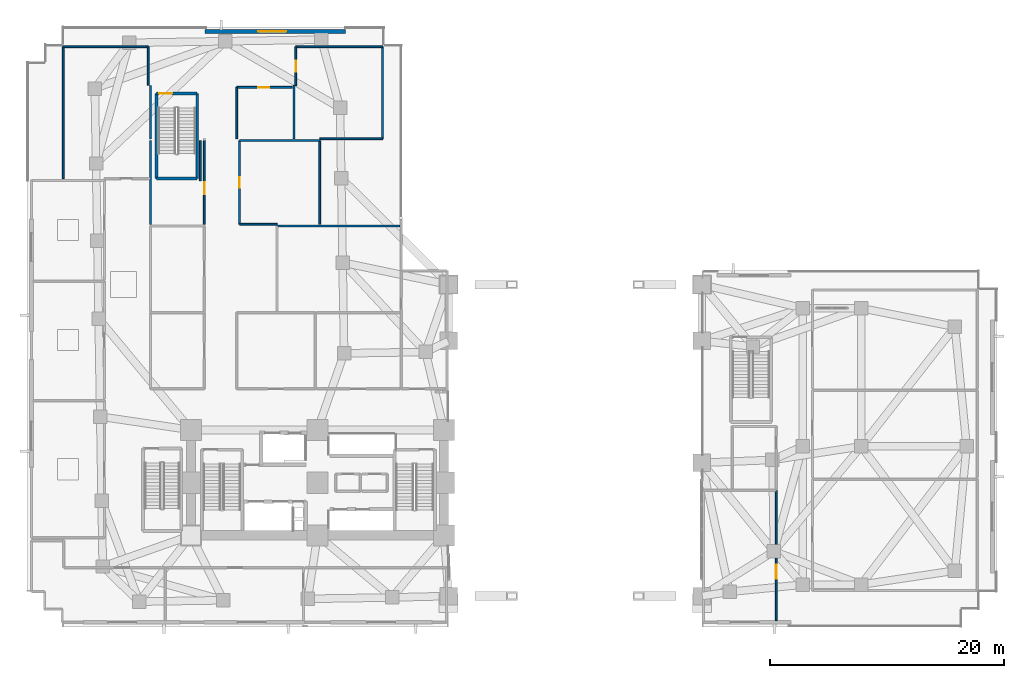
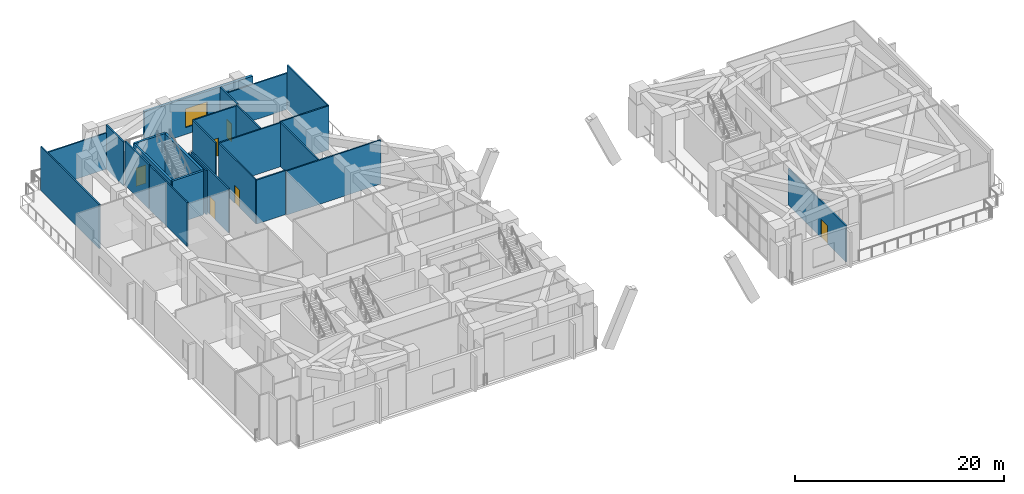
# One storey, part 10 of 18: 25 walls, 6 doors, 1 window, 7 openings.
"""IFC4 building model written with IfcOpenShell, lengths in metres."""

from ifc_helpers import new_model, si_unit, direction, frame, frame_2d, origin, place, context, subcontext, project, spatial, rectangle, extrude, material, layer, layer_set, type_object, element, fill, save


model = new_model("IFC4")

# Units and contexts
model_context = context("Model", 3, precision=1e-05, world=origin(), true_north=direction((0.0, 1.0)))
body_context = subcontext(model_context, "Body", "Model", "MODEL_VIEW")
ifc_project = project(units=[si_unit("LENGTHUNIT", "METRE"), si_unit("AREAUNIT", "SQUARE_METRE"), si_unit("VOLUMEUNIT", "CUBIC_METRE"), si_unit("PLANEANGLEUNIT", "RADIAN"), si_unit("MASSUNIT", "GRAM", prefix="KILO")], contexts=[model_context])

# Site, building, storey
site_placement = place(None, origin())
site = spatial("IfcSite", under=ifc_project, at=site_placement, CompositionType="ELEMENT")
building_placement = place(site_placement, origin())
building = spatial("IfcBuilding", under=site, at=building_placement, Name="Gaonmaruhae Medical Tower", CompositionType="ELEMENT")
storey_placement = place(building_placement, frame((0.0, 0.0, 16.199951171875)))
storey = spatial("IfcBuildingStorey", under=building, at=storey_placement, Name="L03", CompositionType="ELEMENT", Elevation=16.199951171875)

# Wall, opening, window
ifc_material_1 = material(Name="Precast concrete C45/55", Category="concrete")
ifc_layer_1 = layer(ifc_material_1, 0.320068359375)
ifc_layer_set_1 = layer_set([ifc_layer_1], Name="Precast concrete C45/55")
wall_type_1 = type_object("IfcWallType", Name="EW-320 Lower Precast Masonry-Frame Facade Wall", PredefinedType="SOLIDWALL", material=ifc_layer_set_1)
wall_1_placement = place(storey_placement, frame((15.199951171875, 50.800048828125, 0.0), z_axis=(0.0, 0.0, 1.0), x_axis=(1.0, 0.0, 0.0)))
wall_1 = element("IfcWall", 1, at=wall_1_placement, inside=storey, type_object=wall_type_1, Name="L03 Precast Facade Wall PB-N2", PredefinedType="SOLIDWALL", context=body_context, shape_type="SweptSolid", body=[
    extrude(rectangle(XDim=12.0, YDim=0.320068359375, at=frame_2d((6.0, 0.0))), origin(), (0.0, 0.0, 1.0), 4.22998046875),
])
opening_1_placement = place(wall_1_placement, frame((4.544921875, 0.0, 0.800048828125)))
opening_1 = element("IfcOpeningElement", 2, at=opening_1_placement, cuts=wall_1, Name="Opening WN-06", PredefinedType="OPENING", context=body_context, shape_type="SweptSolid", body=[
    extrude(rectangle(XDim=2.39990234375, YDim=2.199951171875, at=frame_2d((1.199951171875, 1.10009765625))), frame((0.0, 0.169921875, 0.0), z_axis=(0.0, -1.0, 0.0), x_axis=(1.0, 0.0, 0.0)), (0.0, 0.0, 1.0), 0.340087890625),
])
ifc_material_2 = material(Name="Anodised aluminium and Low-E double glazing", Category="aluminium")
window_type = type_object("IfcWindowType", Name="WN-06 Podium Diagnostic Punched Window 2400x2200", PartitioningType="SINGLE_PANEL", PredefinedType="WINDOW", material=ifc_material_2)
window_placement = place(opening_1_placement, origin())
window = element("IfcWindow", 3, at=window_placement, inside=storey, type_object=window_type, Name="L03 Podium Punched Window PB-N2", OverallHeight=2.199951171875, OverallWidth=2.39990234375, PartitioningType="SINGLE_PANEL", PredefinedType="WINDOW", context=body_context, shape_type="SweptSolid", body=[
    extrude(rectangle(XDim=2.39990234375, YDim=2.199951171875, at=frame_2d((1.199951171875, 1.10009765625))), frame((0.0, 0.030029296875, 0.0), z_axis=(0.0, -1.0, 0.0), x_axis=(1.0, 0.0, 0.0)), (0.0, 0.0, 1.0), 0.06005859375),
])
fill(opening_1, window)

# Wall, opening, door
ifc_material_3 = material(Name="Gypsum board partition", Category="gypsum")
ifc_layer_2 = layer(ifc_material_3, 0.14990234375)
ifc_layer_set_2 = layer_set([ifc_layer_2], Name="Gypsum board partition")
wall_type_2 = type_object("IfcWallType", Name="PW-150 Rated Clinical Corridor Partition", PredefinedType="PARTITIONING", material=ifc_layer_set_2)
wall_2_placement = place(storey_placement, frame((63.949951171875, 11.64990234375, 0.0), z_axis=(0.0, 0.0, 1.0), x_axis=(0.0, -1.0, 0.0)))
wall_2 = element("IfcWall", 4, at=wall_2_placement, inside=storey, type_object=wall_type_2, Name="L03 Interior Partition L03-EA4-34", PredefinedType="PARTITIONING", context=body_context, shape_type="SweptSolid", body=[
    extrude(rectangle(XDim=11.114990234375, YDim=0.14990234375, at=frame_2d((5.5576171875, 0.0))), origin(), (0.0, 0.0, 1.0), 4.235107421875),
])
opening_2_placement = place(wall_2_placement, frame((6.36083984375, 0.0, 0.0)))
opening_2 = element("IfcOpeningElement", 5, at=opening_2_placement, cuts=wall_2, Name="Opening CD-02", PredefinedType="OPENING", context=body_context, shape_type="SweptSolid", body=[
    extrude(rectangle(XDim=1.199951171875, YDim=2.14990234375, at=frame_2d((0.60009765625, 1.074951171875))), frame((0.0, 0.0849609375, 0.0), z_axis=(0.0, -1.0, 0.0), x_axis=(1.0, 0.0, 0.0)), (0.0, 0.0, 1.0), 0.169921875),
])
ifc_material_4 = material(Name="Antimicrobial laminate timber fire door", Category="wood")
door_type_1 = type_object("IfcDoorType", Name="CD-02 Clinical Treatment & Procedure Door 1200x2150", OperationType="NOTDEFINED", PredefinedType="DOOR", material=ifc_material_4)
door_1_placement = place(opening_2_placement, origin())
door_1 = element("IfcDoor", 6, at=door_1_placement, inside=storey, type_object=door_type_1, Name="L03 L03 Diagnostic Specimen Processing Suite Door", OperationType="SINGLE_SWING_RIGHT", OverallHeight=2.14990234375, OverallWidth=1.199951171875, PredefinedType="DOOR", context=body_context, shape_type="SweptSolid", body=[
    extrude(rectangle(XDim=1.199951171875, YDim=2.14990234375, at=frame_2d((0.60009765625, 1.074951171875))), frame((0.0, 0.02490234375, 0.0), z_axis=(0.0, -1.0, 0.0), x_axis=(1.0, 0.0, 0.0)), (0.0, 0.0, 1.0), 0.050048828125),
])
fill(opening_2, door_1)

# Walls
wall_3_placement = place(storey_placement, frame((21.35009765625, 34.199951171875, 0.0), z_axis=(0.0, 0.0, 1.0), x_axis=(1.0, 0.0, 0.0)))
element("IfcWall", 7, at=wall_3_placement, inside=storey, type_object=wall_type_2, Name="L03 Interior Partition L03-S8-70", PredefinedType="PARTITIONING", context=body_context, shape_type="SweptSolid", body=[
    extrude(rectangle(XDim=10.449951171875, YDim=0.14990234375, at=frame_2d((5.22509765625, 0.0))), origin(), (0.0, 0.0, 1.0), 5.150146484375),
])
wall_4_placement = place(storey_placement, frame((10.550048828125, 34.35009765625, 0.0), z_axis=(0.0, 0.0, 1.0), x_axis=(0.0, 1.0, 0.0)))
element("IfcWall", 8, at=wall_4_placement, inside=storey, type_object=wall_type_2, Name="L03 Interior Partition L03-S9-72", PredefinedType="PARTITIONING", context=body_context, shape_type="SweptSolid", body=[
    extrude(rectangle(XDim=7.14990234375, YDim=0.14990234375, at=frame_2d((3.574951171875, 0.0))), origin(), (0.0, 0.0, 1.0), 5.150146484375),
])
wall_5_placement = place(storey_placement, frame((14.800048828125, 38.050048828125, 0.0), z_axis=(0.0, 0.0, 1.0), x_axis=(0.0, 1.0, 0.0)))
element("IfcWall", 9, at=wall_5_placement, inside=storey, type_object=wall_type_2, Name="L03 Interior Partition L03-S9-73", PredefinedType="PARTITIONING", context=body_context, shape_type="SweptSolid", body=[
    extrude(rectangle(XDim=3.449951171875, YDim=0.14990234375, at=frame_2d((1.72509765625, 0.0))), origin(), (0.0, 0.0, 1.0), 5.150146484375),
])

# Wall, opening, door
wall_6_placement = place(storey_placement, frame((15.139892578125, 41.5, 0.0), z_axis=(0.0, 0.0, 1.0), x_axis=(0.0, -1.0, 0.0)))
wall_6 = element("IfcWall", 10, at=wall_6_placement, inside=storey, type_object=wall_type_2, Name="L03 Interior Partition L03-S9-74", PredefinedType="PARTITIONING", context=body_context, shape_type="SweptSolid", body=[
    extrude(rectangle(XDim=7.14990234375, YDim=0.14990234375, at=frame_2d((3.574951171875, 0.0))), origin(), (0.0, 0.0, 1.0), 5.150146484375),
])
opening_3_placement = place(wall_6_placement, frame((3.578125, 0.0, 0.0)))
opening_3 = element("IfcOpeningElement", 11, at=opening_3_placement, cuts=wall_6, Name="Opening CD-01", PredefinedType="OPENING", context=body_context, shape_type="SweptSolid", body=[
    extrude(rectangle(XDim=1.0, YDim=2.1201171875, at=frame_2d((0.5, 1.06005859375))), frame((0.0, 0.0849609375, 0.0), z_axis=(0.0, -1.0, 0.0), x_axis=(1.0, 0.0, 0.0)), (0.0, 0.0, 1.0), 0.169921875),
])
door_type_2 = type_object("IfcDoorType", Name="CD-01 Consultation & Physician Office Door 1000x2120", OperationType="NOTDEFINED", PredefinedType="DOOR", material=ifc_material_4)
door_2_placement = place(opening_3_placement, origin())
door_2 = element("IfcDoor", 12, at=door_2_placement, inside=storey, type_object=door_type_2, Name="L03 Anaesthesia Consultation Office Door", OperationType="SINGLE_SWING_RIGHT", OverallHeight=2.1201171875, OverallWidth=1.0, PredefinedType="DOOR", context=body_context, shape_type="SweptSolid", body=[
    extrude(rectangle(XDim=1.0, YDim=2.1201171875, at=frame_2d((0.5, 1.06005859375))), frame((0.0, 0.02490234375, 0.0), z_axis=(0.0, -1.0, 0.0), x_axis=(1.0, 0.0, 0.0)), (0.0, 0.0, 1.0), 0.050048828125),
])
fill(opening_3, door_2)

# Walls
wall_7_placement = place(storey_placement, frame((18.14990234375, 41.5, 0.0), z_axis=(0.0, 0.0, 1.0), x_axis=(1.0, 0.0, 0.0)))
element("IfcWall", 13, at=wall_7_placement, inside=storey, type_object=wall_type_2, Name="L03 Interior Partition L03-S10-75", PredefinedType="PARTITIONING", context=body_context, shape_type="SweptSolid", body=[
    extrude(rectangle(XDim=6.85009765625, YDim=0.14990234375, at=frame_2d((3.425048828125, 0.0))), origin(), (0.0, 0.0, 1.0), 5.150146484375),
])
wall_8_placement = place(storey_placement, frame((25.0, 41.5, 0.0), z_axis=(0.0, 0.0, 1.0), x_axis=(0.0, -1.0, 0.0)))
element("IfcWall", 14, at=wall_8_placement, inside=storey, type_object=wall_type_2, Name="L03 Interior Partition L03-S10-76", PredefinedType="PARTITIONING", context=body_context, shape_type="SweptSolid", body=[
    extrude(rectangle(XDim=7.14990234375, YDim=0.14990234375, at=frame_2d((3.574951171875, 0.0))), origin(), (0.0, 0.0, 1.0), 5.150146484375),
])
wall_9_placement = place(storey_placement, frame((21.35009765625, 34.35009765625, 0.0), z_axis=(0.0, 0.0, 1.0), x_axis=(-1.0, 0.0, 0.0)))
element("IfcWall", 15, at=wall_9_placement, inside=storey, type_object=wall_type_2, Name="L03 Interior Partition L03-S10-77", PredefinedType="PARTITIONING", context=body_context, shape_type="SweptSolid", body=[
    extrude(rectangle(XDim=3.2001953125, YDim=0.14990234375, at=frame_2d((1.60009765625, 0.0))), origin(), (0.0, 0.0, 1.0), 5.150146484375),
])

# Wall, opening, door
wall_10_placement = place(storey_placement, frame((18.14990234375, 34.35009765625, 0.0), z_axis=(0.0, 0.0, 1.0), x_axis=(0.0, 1.0, 0.0)))
wall_10 = element("IfcWall", 16, at=wall_10_placement, inside=storey, type_object=wall_type_2, Name="L03 Interior Partition L03-S10-78", PredefinedType="PARTITIONING", context=body_context, shape_type="SweptSolid", body=[
    extrude(rectangle(XDim=7.14990234375, YDim=0.14990234375, at=frame_2d((3.574951171875, 0.0))), origin(), (0.0, 0.0, 1.0), 5.150146484375),
])
opening_4_placement = place(wall_10_placement, frame((3.114990234375, 0.0, 0.0)))
opening_4 = element("IfcOpeningElement", 17, at=opening_4_placement, cuts=wall_10, Name="Opening UD-01", PredefinedType="OPENING", context=body_context, shape_type="SweptSolid", body=[
    extrude(rectangle(XDim=0.919921875, YDim=2.10009765625, at=frame_2d((0.4599609375, 1.050048828125))), frame((0.0, 0.0849609375, 0.0), z_axis=(0.0, -1.0, 0.0), x_axis=(1.0, 0.0, 0.0)), (0.0, 0.0, 1.0), 0.169921875),
])
ifc_material_5 = material(Name="Powder-coated steel utility door", Category="steel")
door_type_3 = type_object("IfcDoorType", Name="UD-01 Toilet, Utility & Housekeeping Door 920x2100", OperationType="NOTDEFINED", PredefinedType="DOOR", material=ifc_material_5)
door_3_placement = place(opening_4_placement, origin())
door_3 = element("IfcDoor", 18, at=door_3_placement, inside=storey, type_object=door_type_3, Name="L03 Surgical Staff Changing and Scrub Room Door", OperationType="SINGLE_SWING_LEFT", OverallHeight=2.10009765625, OverallWidth=0.919921875, PredefinedType="DOOR", context=body_context, shape_type="SweptSolid", body=[
    extrude(rectangle(XDim=0.919921875, YDim=2.10009765625, at=frame_2d((0.4599609375, 1.050048828125))), frame((0.0, 0.02490234375, 0.0), z_axis=(0.0, -1.0, 0.0), x_axis=(1.0, 0.0, 0.0)), (0.0, 0.0, 1.0), 0.050048828125),
])
fill(opening_4, door_3)

# Walls
for number, where, z_axis, x_axis, name in (
    (19, (10.550048828125, 41.64990234375, 0.0), (0.0, 0.0, 1.0), (0.0, 1.0, 0.0), "L03 Interior Partition L03-WC-82"),
    (20, (22.800048828125, 46.199951171875, 0.0), (0.0, 0.0, 1.0), (0.0, -1.0, 0.0), "L03 Interior Partition L03-AWC-83"),
):
    element("IfcWall", number, at=place(storey_placement, frame(where, z_axis=z_axis, x_axis=x_axis)), inside=storey, type_object=wall_type_2, Name=name, PredefinedType="PARTITIONING", context=body_context, shape_type="SweptSolid", body=[
        extrude(rectangle(XDim=4.550048828125, YDim=0.14990234375, at=frame_2d((2.27490234375, 0.0))), origin(), (0.0, 0.0, 1.0), 5.150146484375),
    ])
wall_11_placement = place(storey_placement, frame((17.909912109375, 41.64990234375, 0.0), z_axis=(0.0, 0.0, 1.0), x_axis=(0.0, 1.0, 0.0)))
element("IfcWall", 21, at=wall_11_placement, inside=storey, type_object=wall_type_2, Name="L03 Interior Partition L03-AWC-84", PredefinedType="PARTITIONING", context=body_context, shape_type="SweptSolid", body=[
    extrude(rectangle(XDim=4.39013671875, YDim=0.14990234375, at=frame_2d((2.195068359375, 0.0))), origin(), (0.0, 0.0, 1.0), 5.150146484375),
])

# Wall, opening, door
wall_12_placement = place(storey_placement, frame((17.909912109375, 46.0400390625, 0.0), z_axis=(0.0, 0.0, 1.0), x_axis=(1.0, 0.0, 0.0)))
wall_12 = element("IfcWall", 22, at=wall_12_placement, inside=storey, type_object=wall_type_2, Name="L03 Interior Partition L03-AWC-85", PredefinedType="PARTITIONING", context=body_context, shape_type="SweptSolid", body=[
    extrude(rectangle(XDim=4.72998046875, YDim=0.14990234375, at=frame_2d((2.364990234375, 0.0))), origin(), (0.0, 0.0, 1.0), 5.150146484375),
])
opening_5_placement = place(wall_12_placement, frame((1.8349609375, 0.0, 0.0)))
opening_5 = element("IfcOpeningElement", 23, at=opening_5_placement, cuts=wall_12, Name="Opening UD-01", PredefinedType="OPENING", context=body_context, shape_type="SweptSolid", body=[
    extrude(rectangle(XDim=0.919921875, YDim=2.10009765625, at=frame_2d((0.4599609375, 1.050048828125))), frame((0.0, 0.0849609375, 0.0), z_axis=(0.0, -1.0, 0.0), x_axis=(1.0, 0.0, 0.0)), (0.0, 0.0, 1.0), 0.169921875),
])
door_4_placement = place(opening_5_placement, origin())
door_4 = element("IfcDoor", 24, at=door_4_placement, inside=storey, type_object=door_type_3, Name="L03 L03 Accessible Staff Toilet Door", OperationType="SINGLE_SWING_RIGHT", OverallHeight=2.10009765625, OverallWidth=0.919921875, PredefinedType="DOOR", context=body_context, shape_type="SweptSolid", body=[
    extrude(rectangle(XDim=0.919921875, YDim=2.10009765625, at=frame_2d((0.4599609375, 1.050048828125))), frame((0.0, 0.02490234375, 0.0), z_axis=(0.0, -1.0, 0.0), x_axis=(1.0, 0.0, 0.0)), (0.0, 0.0, 1.0), 0.050048828125),
])
fill(opening_5, door_4)

# Walls
wall_13_placement = place(storey_placement, frame((22.949951171875, 49.5, 0.0), z_axis=(0.0, 0.0, 1.0), x_axis=(1.0, 0.0, 0.0)))
element("IfcWall", 25, at=wall_13_placement, inside=storey, type_object=wall_type_2, Name="L03 Interior Partition L03-HSK-86", PredefinedType="PARTITIONING", context=body_context, shape_type="SweptSolid", body=[
    extrude(rectangle(XDim=7.400146484375, YDim=0.14990234375, at=frame_2d((3.7001953125, 0.0))), origin(), (0.0, 0.0, 1.0), 4.235107421875),
])
wall_14_placement = place(storey_placement, frame((30.35009765625, 49.5, 0.0), z_axis=(0.0, 0.0, 1.0), x_axis=(0.0, -1.0, 0.0)))
element("IfcWall", 26, at=wall_14_placement, inside=storey, type_object=wall_type_2, Name="L03 Interior Partition L03-HSK-87", PredefinedType="PARTITIONING", context=body_context, shape_type="SweptSolid", body=[
    extrude(rectangle(XDim=7.85009765625, YDim=0.14990234375, at=frame_2d((3.925048828125, 0.0))), origin(), (0.0, 0.0, 1.0), 5.150146484375),
])
wall_15_placement = place(storey_placement, frame((30.35009765625, 41.64990234375, 0.0), z_axis=(0.0, 0.0, 1.0), x_axis=(-1.0, 0.0, 0.0)))
element("IfcWall", 27, at=wall_15_placement, inside=storey, type_object=wall_type_2, Name="L03 Interior Partition L03-HSK-88", PredefinedType="PARTITIONING", context=body_context, shape_type="SweptSolid", body=[
    extrude(rectangle(XDim=5.35009765625, YDim=0.14990234375, at=frame_2d((2.675048828125, 0.0))), origin(), (0.0, 0.0, 1.0), 5.150146484375),
])

# Wall, opening, door
wall_16_placement = place(storey_placement, frame((22.949951171875, 46.199951171875, 0.0), z_axis=(0.0, 0.0, 1.0), x_axis=(0.0, 1.0, 0.0)))
wall_16 = element("IfcWall", 28, at=wall_16_placement, inside=storey, type_object=wall_type_2, Name="L03 Interior Partition L03-HSK-89", PredefinedType="PARTITIONING", context=body_context, shape_type="SweptSolid", body=[
    extrude(rectangle(XDim=3.300048828125, YDim=0.14990234375, at=frame_2d((1.64990234375, 0.0))), origin(), (0.0, 0.0, 1.0), 5.150146484375),
])
opening_6_placement = place(wall_16_placement, frame((1.18994140625, 0.0, 0.0)))
opening_6 = element("IfcOpeningElement", 29, at=opening_6_placement, cuts=wall_16, Name="Opening UD-01", PredefinedType="OPENING", context=body_context, shape_type="SweptSolid", body=[
    extrude(rectangle(XDim=0.919921875, YDim=2.10009765625, at=frame_2d((0.4599609375, 1.050048828125))), frame((0.0, 0.0849609375, 0.0), z_axis=(0.0, -1.0, 0.0), x_axis=(1.0, 0.0, 0.0)), (0.0, 0.0, 1.0), 0.169921875),
])
door_5_placement = place(opening_6_placement, origin())
door_5 = element("IfcDoor", 30, at=door_5_placement, inside=storey, type_object=door_type_3, Name="L03 L03 Surgical Housekeeping Store Door", OperationType="SINGLE_SWING_LEFT", OverallHeight=2.10009765625, OverallWidth=0.919921875, PredefinedType="DOOR", context=body_context, shape_type="SweptSolid", body=[
    extrude(rectangle(XDim=0.919921875, YDim=2.10009765625, at=frame_2d((0.4599609375, 1.050048828125))), frame((0.0, 0.02490234375, 0.0), z_axis=(0.0, -1.0, 0.0), x_axis=(1.0, 0.0, 0.0)), (0.0, 0.0, 1.0), 0.050048828125),
])
fill(opening_6, door_5)

# Walls
wall_17_placement = place(storey_placement, frame((3.10009765625, 38.25, 0.0), z_axis=(0.0, 0.0, 1.0), x_axis=(0.0, 1.0, 0.0)))
element("IfcWall", 31, at=wall_17_placement, inside=storey, type_object=wall_type_2, Name="L03 Interior Partition L03-PNT-91", PredefinedType="PARTITIONING", context=body_context, shape_type="SweptSolid", body=[
    extrude(rectangle(XDim=11.25, YDim=0.14990234375, at=frame_2d((5.625, 0.0))), origin(), (0.0, 0.0, 1.0), 5.150146484375),
])
wall_18_placement = place(storey_placement, frame((3.10009765625, 49.5, 0.0), z_axis=(0.0, 0.0, 1.0), x_axis=(1.0, 0.0, 0.0)))
element("IfcWall", 32, at=wall_18_placement, inside=storey, type_object=wall_type_2, Name="L03 Interior Partition L03-PNT-92", PredefinedType="PARTITIONING", context=body_context, shape_type="SweptSolid", body=[
    extrude(rectangle(XDim=7.25, YDim=0.14990234375, at=frame_2d((3.625, 0.0))), origin(), (0.0, 0.0, 1.0), 4.235107421875),
])
wall_19_placement = place(storey_placement, frame((10.35009765625, 49.5, 0.0), z_axis=(0.0, 0.0, 1.0), x_axis=(0.0, -1.0, 0.0)))
element("IfcWall", 33, at=wall_19_placement, inside=storey, type_object=wall_type_2, Name="L03 Interior Partition L03-PNT-93", PredefinedType="PARTITIONING", context=body_context, shape_type="SweptSolid", body=[
    extrude(rectangle(XDim=3.300048828125, YDim=0.14990234375, at=frame_2d((1.64990234375, 0.0))), origin(), (0.0, 0.0, 1.0), 5.150146484375),
])

# Wall, opening, door
ifc_material_6 = material(Name="Concrete C50/60", Category="concrete")
ifc_layer_3 = layer(ifc_material_6, 0.239990234375)
ifc_layer_set_3 = layer_set([ifc_layer_3], Name="Concrete C50/60")
wall_type_3 = type_object("IfcWallType", Name="SW-240 Dogleg Stair Tight Shaft Wall", PredefinedType="SOLIDWALL", material=ifc_layer_set_3)
wall_20_placement = place(storey_placement, frame((11.070068359375, 45.52001953125, 0.0), z_axis=(0.0, 0.0, 1.0), x_axis=(1.0, 0.0, 0.0)))
wall_20 = element("IfcWall", 34, at=wall_20_placement, inside=storey, type_object=wall_type_3, Name="L03 ST-05 Stair Shaft Wall SHW-ST-05-N", PredefinedType="SOLIDWALL", context=body_context, shape_type="SweptSolid", body=[
    extrude(rectangle(XDim=3.4599609375, YDim=0.239990234375, at=frame_2d((1.72998046875, 0.0))), origin(), (0.0, 0.0, 1.0), 5.150146484375),
])
opening_7_placement = place(wall_20_placement, frame((0.219970703125, 0.0, 0.0)))
opening_7 = element("IfcOpeningElement", 35, at=opening_7_placement, cuts=wall_20, Name="Opening FD-01", PredefinedType="OPENING", context=body_context, shape_type="SweptSolid", body=[
    extrude(rectangle(XDim=1.10009765625, YDim=2.14990234375, at=frame_2d((0.550048828125, 1.074951171875))), frame((0.0, 0.1298828125, 0.0), z_axis=(0.0, -1.0, 0.0), x_axis=(1.0, 0.0, 0.0)), (0.0, 0.0, 1.0), 0.260009765625),
])
ifc_material_7 = material(Name="Powder-coated steel fire door", Category="steel")
door_type_4 = type_object("IfcDoorType", Name="FD-01 Escape Stair Protected Fire Door 1100x2150", OperationType="NOTDEFINED", PredefinedType="DOOR", material=ifc_material_7)
door_6_placement = place(opening_7_placement, origin())
door_6 = element("IfcDoor", 36, at=door_6_placement, inside=storey, type_object=door_type_4, Name="L03 ST-05 Protected Escape Stair Door", OperationType="SINGLE_SWING_RIGHT", OverallHeight=2.14990234375, OverallWidth=1.10009765625, PredefinedType="DOOR", context=body_context, shape_type="SweptSolid", body=[
    extrude(rectangle(XDim=1.10009765625, YDim=2.14990234375, at=frame_2d((0.550048828125, 1.074951171875))), frame((0.0, 0.02490234375, 0.0), z_axis=(0.0, -1.0, 0.0), x_axis=(1.0, 0.0, 0.0)), (0.0, 0.0, 1.0), 0.050048828125),
])
fill(opening_7, door_6)

# Walls
wall_21_placement = place(storey_placement, frame((14.530029296875, 45.52001953125, 0.0), z_axis=(0.0, 0.0, 1.0), x_axis=(0.0, -1.0, 0.0)))
element("IfcWall", 37, at=wall_21_placement, inside=storey, type_object=wall_type_3, Name="L03 ST-05 Stair Shaft Wall SHW-ST-05-E", PredefinedType="SOLIDWALL", context=body_context, shape_type="SweptSolid", body=[
    extrude(rectangle(XDim=7.25, YDim=0.239990234375, at=frame_2d((3.625, 0.0))), origin(), (0.0, 0.0, 1.0), 5.150146484375),
])
wall_22_placement = place(storey_placement, frame((14.530029296875, 38.27001953125, 0.0), z_axis=(0.0, 0.0, 1.0), x_axis=(-1.0, 0.0, 0.0)))
element("IfcWall", 38, at=wall_22_placement, inside=storey, type_object=wall_type_3, Name="L03 ST-05 Stair Shaft Wall SHW-ST-05-S", PredefinedType="SOLIDWALL", context=body_context, shape_type="SweptSolid", body=[
    extrude(rectangle(XDim=3.4599609375, YDim=0.239990234375, at=frame_2d((1.72998046875, 0.0))), origin(), (0.0, 0.0, 1.0), 5.150146484375),
])
wall_23_placement = place(storey_placement, frame((11.070068359375, 38.27001953125, 0.0), z_axis=(0.0, 0.0, 1.0), x_axis=(0.0, 1.0, 0.0)))
element("IfcWall", 39, at=wall_23_placement, inside=storey, type_object=wall_type_3, Name="L03 ST-05 Stair Shaft Wall SHW-ST-05-W", PredefinedType="SOLIDWALL", context=body_context, shape_type="SweptSolid", body=[
    extrude(rectangle(XDim=7.25, YDim=0.239990234375, at=frame_2d((3.625, 0.0))), origin(), (0.0, 0.0, 1.0), 5.150146484375),
])

save(model, "model.ifc")
